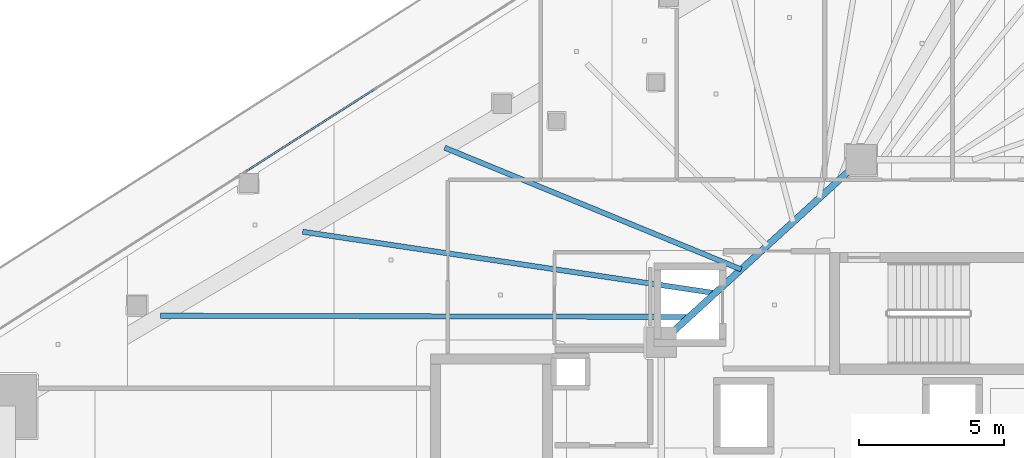
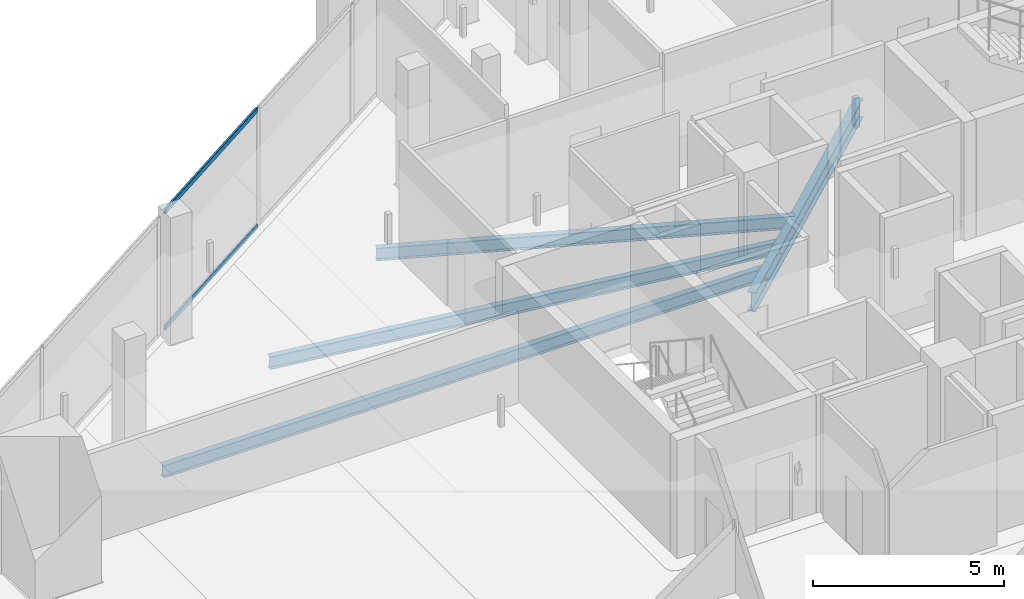
# One storey, part 15 of 39: 4 beams, 2 members, 1 element without a shape of its own.
"""IFC4 building model written with IfcOpenShell, lengths in metres."""

from ifc_helpers import new_model, si_unit, direction, frame, origin, origin_2d, place, context, subcontext, project, spatial, hollow_rectangle, i_section, extrude, material, layer, layer_set, material_profile, profile_set, type_object, element, aggregate, save


model = new_model("IFC4")

# Units and contexts
model_context = context("Model", 3, precision=1e-05, world=origin(), true_north=direction((0.0, 1.0)))
body_context = subcontext(model_context, "Body", "Model", "MODEL_VIEW")
ifc_project = project(units=[si_unit("LENGTHUNIT", "METRE"), si_unit("AREAUNIT", "SQUARE_METRE"), si_unit("VOLUMEUNIT", "CUBIC_METRE"), si_unit("PLANEANGLEUNIT", "RADIAN"), si_unit("MASSUNIT", "GRAM", prefix="KILO")], contexts=[model_context])

# Site, building, storey
site_placement = place(None, origin())
site = spatial("IfcSite", under=ifc_project, at=site_placement, CompositionType="ELEMENT")
building_placement = place(site_placement, origin())
building = spatial("IfcBuilding", under=site, at=building_placement, Name="Qorvath Tower", CompositionType="ELEMENT")
storey_placement = place(building_placement, frame((0.0, 0.0, 162.449951171875)))
storey = spatial("IfcBuildingStorey", under=building, at=storey_placement, Name="L37", CompositionType="ELEMENT", Elevation=162.449951171875)

# Beams
ifc_material_1 = material(Name="Steel ASTM A992 Grade 50", Category="steel")
ifc_material_profile_1 = material_profile(ifc_material_1, i_section(OverallWidth=0.22998046875, OverallDepth=0.616943359375, WebThickness=0.01318359375, FlangeThickness=0.022216796875, FilletRadius=0.014892578125, at=origin_2d()), Name="W24x94")
ifc_profile_set_1 = profile_set([ifc_material_profile_1], Name="Steel ASTM A992 Grade 50")
beam_type_1 = type_object("IfcBeamType", Name="BM-FG6", PredefinedType="BEAM", material=ifc_profile_set_1)
beam_1_placement = place(storey_placement, frame((-30.5, 5.14990234375, -0.57861328125), z_axis=(0.73847813985, 0.6742774184, 0.0), x_axis=(-0.6742774184, 0.73847813985, 0.0)))
element("IfcBeam", 1, at=beam_1_placement, inside=storey, type_object=beam_type_1, Name="Core Ring Girder CC5-CC1 L37", PredefinedType="BEAM", context=body_context, shape_type="SweptSolid", body=[
    extrude(i_section(OverallWidth=0.22998046875, OverallDepth=0.616943359375, WebThickness=0.01318359375, FlangeThickness=0.022216796875, FilletRadius=0.014892578125, at=origin_2d()), origin(), (0.0, 0.0, 1.0), 9.343505859375),
])
ifc_material_2 = material(Name="Steel ASTM A992 Grade 50", Category="steel")
ifc_material_profile_2 = material_profile(ifc_material_2, i_section(OverallWidth=0.177978515625, OverallDepth=0.406005859375, WebThickness=0.0078125, FlangeThickness=0.0126953125, FilletRadius=0.010986328125, at=origin_2d()), Name="W16x40")
ifc_profile_set_2 = profile_set([ifc_material_profile_2], Name="Steel ASTM A992 Grade 50")
beam_type_2 = type_object("IfcBeamType", Name="BM-FJ3", PredefinedType="JOIST", material=ifc_profile_set_2)
beam_2_placement = place(storey_placement, frame((-29.533935546875, 6.031982421875, -0.47314453125), z_axis=(-0.999997589883, 0.002195501951, 0.0), x_axis=(-0.002195501951, -0.999997589883, 0.0)))
element("IfcBeam", 2, at=beam_2_placement, inside=storey, type_object=beam_type_2, Name="Composite Floor Joist NW1 L37", PredefinedType="JOIST", context=body_context, shape_type="SweptSolid", body=[
    extrude(i_section(OverallWidth=0.177978515625, OverallDepth=0.406005859375, WebThickness=0.0078125, FlangeThickness=0.0126953125, FilletRadius=0.010986328125, at=origin_2d()), origin(), (0.0, 0.0, 1.0), 18.23681640625),
])
beam_3_placement = place(storey_placement, frame((-28.636962890625, 6.85107421875, -0.47314453125), z_axis=(-0.989092860328, 0.147293291256, 0.0), x_axis=(-0.147293291256, -0.989092860328, 0.0)))
element("IfcBeam", 3, at=beam_3_placement, inside=storey, type_object=beam_type_2, Name="Composite Floor Joist NW2 L37", PredefinedType="JOIST", context=body_context, shape_type="SweptSolid", body=[
    extrude(i_section(OverallWidth=0.177978515625, OverallDepth=0.406005859375, WebThickness=0.0078125, FlangeThickness=0.0126953125, FilletRadius=0.010986328125, at=origin_2d()), origin(), (0.0, 0.0, 1.0), 14.388916015625),
])
beam_4_placement = place(storey_placement, frame((-27.739990234375, 7.669921875, -0.47314453125), z_axis=(-0.925068176006, 0.379801092338, 0.0), x_axis=(-0.379801092338, -0.925068176006, 0.0)))
element("IfcBeam", 4, at=beam_4_placement, inside=storey, type_object=beam_type_2, Name="Composite Floor Joist NW3 L37", PredefinedType="JOIST", context=body_context, shape_type="SweptSolid", body=[
    extrude(i_section(OverallWidth=0.177978515625, OverallDepth=0.406005859375, WebThickness=0.0078125, FlangeThickness=0.0126953125, FilletRadius=0.010986328125, at=origin_2d()), origin(), (0.0, 0.0, 1.0), 11.0556640625),
])

# Curtain wall, members
ifc_material_3 = material(Name="Anodised aluminium and triple low-E glass", Category="aluminium")
ifc_layer = layer(ifc_material_3, 0.179931640625)
ifc_layer_set = layer_set([ifc_layer], Name="CW-SYS-3")
curtain_wall_type = type_object("IfcCurtainWallType", Name="CW-SYS-3", PredefinedType="NOTDEFINED", material=ifc_layer_set)
curtain_wall_placement = place(storey_placement, origin())
curtain_wall = element("IfcCurtainWall", 5, at=curtain_wall_placement, inside=storey, type_object=curtain_wall_type, Name="Curtain Wall CW-3 CW-T-L37-16.2", PredefinedType="NOTDEFINED")
ifc_material_4 = material(Name="Anodised aluminium 6063-T6", Category="aluminium")
ifc_material_profile_3 = material_profile(ifc_material_4, hollow_rectangle(XDim=0.06494140625, YDim=0.159912109375, WallThickness=0.00341796875, InnerFilletRadius=0.00341796875, OuterFilletRadius=0.007080078125, at=origin_2d()), Name="CWT 160x65")
ifc_profile_set_3 = profile_set([ifc_material_profile_3], Name="Anodised aluminium 6063-T6")
member_type = type_object("IfcMemberType", Name="CWT-160", PredefinedType="USERDEFINED", material=ifc_profile_set_3)
member_1_placement = place(storey_placement, frame((-40.405029296875, 13.878173828125, 0.032470703125), z_axis=(-0.842600505064, -0.538539124731, 0.0), x_axis=(0.538539124731, -0.842600505064, 0.0)))
member_1 = element("IfcMember", 6, at=member_1_placement, type_object=member_type, Name="CW-3 transom 3.1", ObjectType="TRANSOM", PredefinedType="USERDEFINED", context=body_context, shape_type="SweptSolid", body=[
    extrude(hollow_rectangle(XDim=0.06494140625, YDim=0.159912109375, WallThickness=0.00341796875, InnerFilletRadius=0.00341796875, OuterFilletRadius=0.007080078125, at=origin_2d()), origin(), (0.0, 0.0, 1.0), 5.23828125),
])
member_2_placement = place(storey_placement, frame((-40.405029296875, 13.878173828125, 3.74755859375), z_axis=(-0.842600505064, -0.538539124731, 0.0), x_axis=(0.538539124731, -0.842600505064, 0.0)))
member_2 = element("IfcMember", 7, at=member_2_placement, type_object=member_type, Name="CW-3 transom 3.2", ObjectType="TRANSOM", PredefinedType="USERDEFINED", context=body_context, shape_type="SweptSolid", body=[
    extrude(hollow_rectangle(XDim=0.06494140625, YDim=0.159912109375, WallThickness=0.00341796875, InnerFilletRadius=0.00341796875, OuterFilletRadius=0.007080078125, at=origin_2d()), origin(), (0.0, 0.0, 1.0), 5.23828125),
])
aggregate(curtain_wall, [member_1, member_2])

save(model, "model.ifc")
